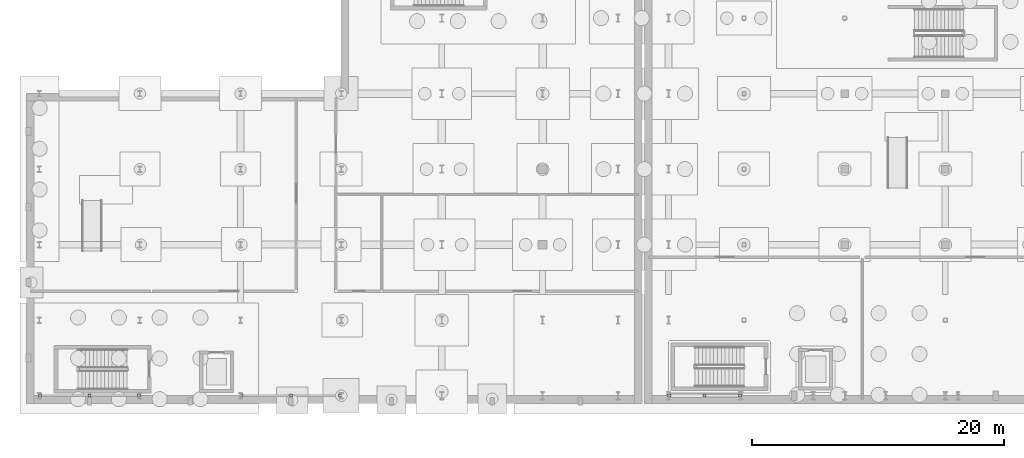
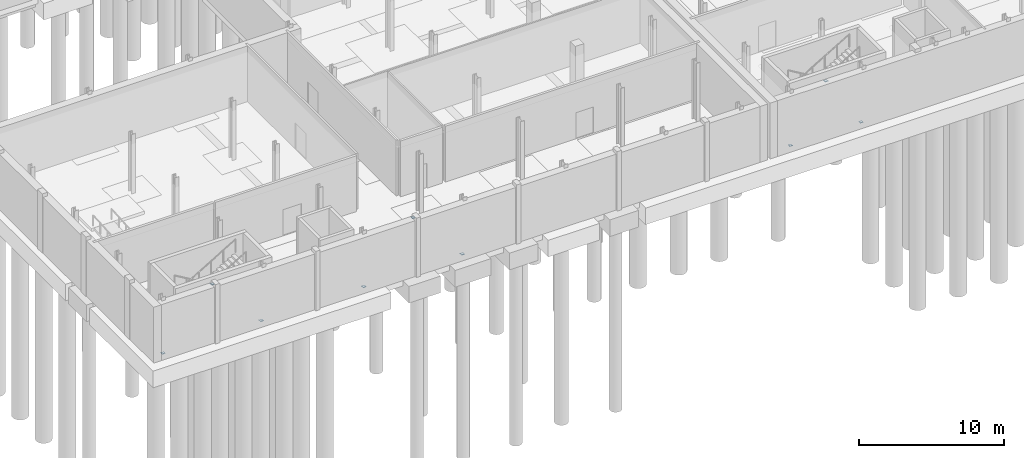
# One storey, part 18 of 47: 9 plates.
"""IFC4 building model written with IfcOpenShell, lengths in metres."""

from ifc_helpers import new_model, si_unit, direction, frame, origin, origin_2d, place, context, subcontext, project, spatial, rectangle, extrude, material, layer, layer_set, type_object, element, save


model = new_model("IFC4")

# Units and contexts
model_context = context("Model", 3, precision=1e-05, world=origin(), true_north=direction((0.0, 1.0)))
body_context = subcontext(model_context, "Body", "Model", "MODEL_VIEW")
ifc_project = project(units=[si_unit("LENGTHUNIT", "METRE"), si_unit("AREAUNIT", "SQUARE_METRE"), si_unit("VOLUMEUNIT", "CUBIC_METRE"), si_unit("PLANEANGLEUNIT", "RADIAN"), si_unit("MASSUNIT", "GRAM", prefix="KILO")], contexts=[model_context])

# Site, building, storey
site_placement = place(None, origin())
site = spatial("IfcSite", under=ifc_project, at=site_placement, CompositionType="ELEMENT")
building_placement = place(site_placement, origin())
building = spatial("IfcBuilding", under=site, at=building_placement, Name="Cymarion Research Institute", CompositionType="ELEMENT")
storey_placement = place(building_placement, frame((0.0, 0.0, -5.0)))
storey = spatial("IfcBuildingStorey", under=building, at=storey_placement, Name="B1", CompositionType="ELEMENT", Elevation=-5.0)

# Plates
ifc_material = material(Name="Steel S355", Category="steel")
ifc_layer = layer(ifc_material, 0.011962890625)
ifc_layer_set = layer_set([ifc_layer], Name="Steel S355")
plate_type = type_object("IfcPlateType", Name="STEEL NODE GUSSET PLATE CP02 12MM", PredefinedType="USERDEFINED", material=ifc_layer_set)
for number, where, z_axis, x_axis, name in (
    (1, (59.47509765625, 5.5, 4.55419921875), (0.0, 0.0, 1.0), (1.0, 0.0, 0.0), "B1 V2 chevron apex gusset plate"),
    (2, (56.665283203125, 5.5, 0.1142578125), (0.0, 0.0, 1.0), (1.0, 0.0, 0.0), "B1 V2 chevron base gusset plate #1"),
    (3, (62.284912109375, 5.5, 0.1142578125), (0.0, 0.0, 1.0), (1.0, 0.0, 0.0), "B1 V2 chevron base gusset plate #2"),
    (4, (10.60009765625, 5.5, 4.55419921875), (0.0, 0.0, 1.0), (1.0, 0.0, 0.0), "B1 V3 chevron apex gusset plate"),
    (5, (6.680419921875, 5.5, 0.1142578125), (0.0, 0.0, 1.0), (1.0, 0.0, 0.0), "B1 V3 chevron base gusset plate #1"),
    (6, (14.519775390625, 5.5, 0.1142578125), (0.0, 0.0, 1.0), (1.0, 0.0, 0.0), "B1 V3 chevron base gusset plate #2"),
    (7, (26.60009765625, 5.5, 4.55419921875), (0.0, 0.0, 1.0), (1.0, 0.0, 0.0), "B1 V3 chevron apex gusset plate"),
    (8, (22.680419921875, 5.5, 0.1142578125), (0.0, 0.0, 1.0), (1.0, 0.0, 0.0), "B1 V3 chevron base gusset plate #1"),
    (9, (30.519775390625, 5.5, 0.1142578125), (0.0, 0.0, 1.0), (1.0, 0.0, 0.0), "B1 V3 chevron base gusset plate #2"),
):
    element("IfcPlate", number, at=place(storey_placement, frame(where, z_axis=z_axis, x_axis=x_axis)), inside=storey, type_object=plate_type, Name=name, ObjectType="GUSSET PLATE", PredefinedType="USERDEFINED", context=body_context, shape_type="SweptSolid", body=[
        extrude(rectangle(XDim=0.239990234375, YDim=0.239990234375, at=origin_2d()), origin(), (0.0, 0.0, 1.0), 0.011962890625),
    ])

save(model, "model.ifc")
